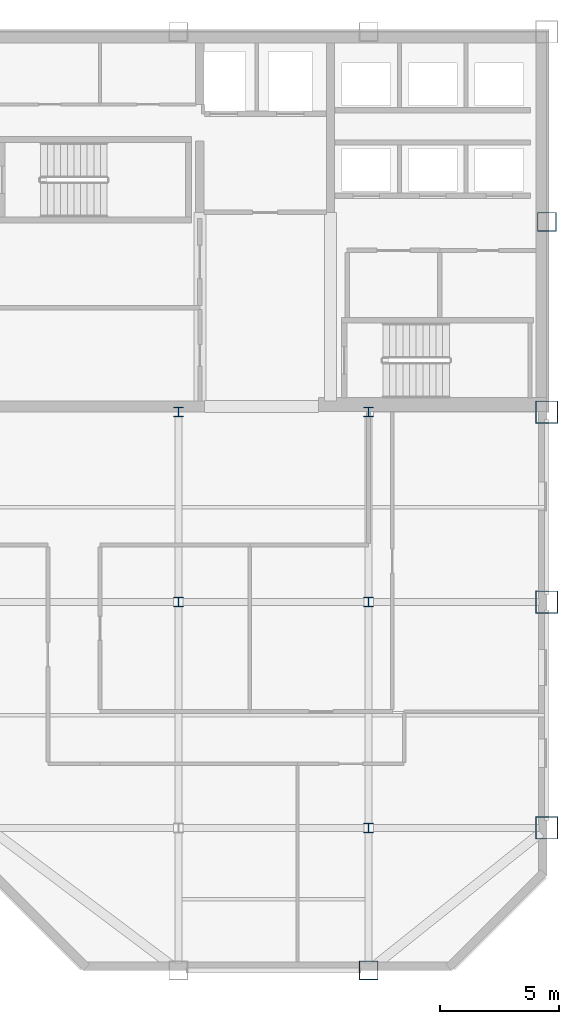
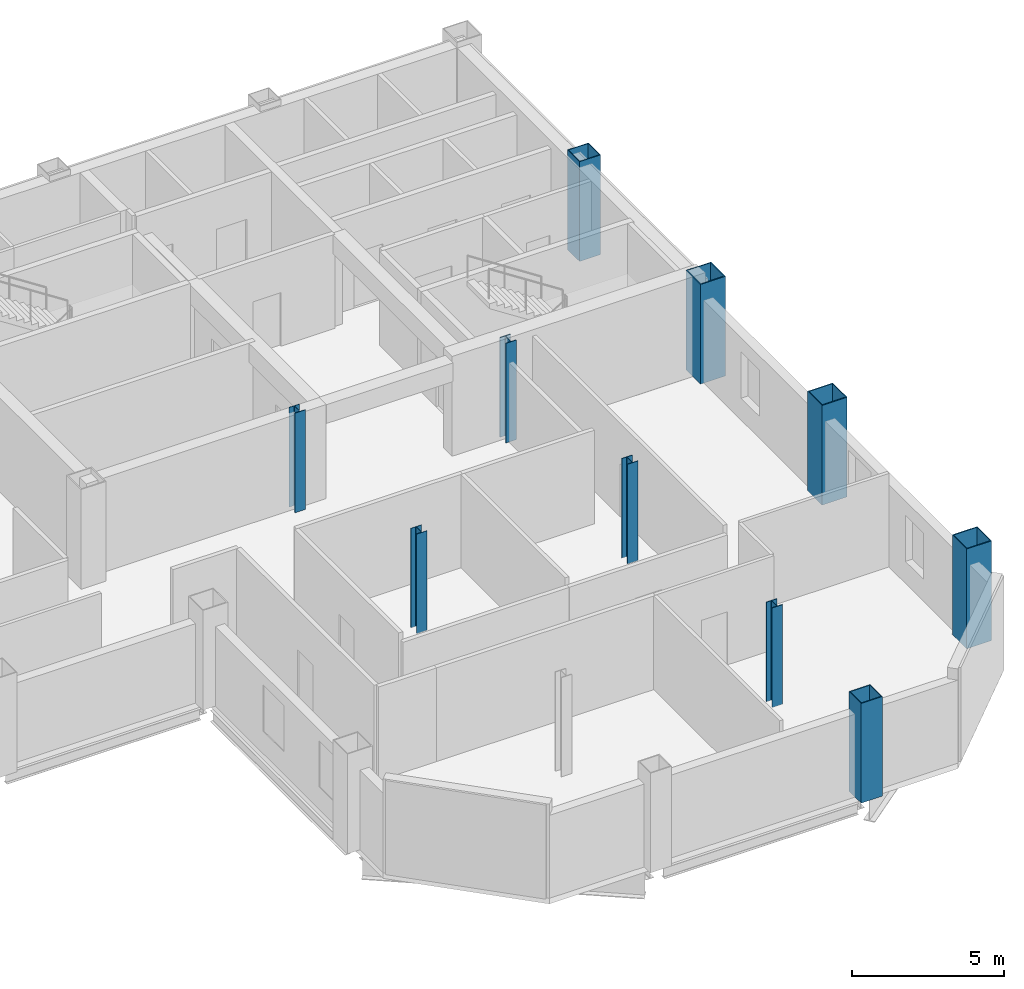
# One storey, part 2 of 10: 10 columns.
"""IFC4 building model written with IfcOpenShell, lengths in metres."""

from ifc_helpers import new_model, si_unit, direction, frame, origin, origin_2d, place, context, subcontext, project, spatial, hollow_rectangle, i_section, extrude, material, material_profile, profile_set, type_object, element, save


model = new_model("IFC4")

# Units and contexts
model_context = context("Model", 3, precision=1e-05, world=origin(), true_north=direction((0.0, 1.0)))
body_context = subcontext(model_context, "Body", "Model", "MODEL_VIEW")
ifc_project = project(units=[si_unit("LENGTHUNIT", "METRE"), si_unit("AREAUNIT", "SQUARE_METRE"), si_unit("VOLUMEUNIT", "CUBIC_METRE"), si_unit("PLANEANGLEUNIT", "RADIAN"), si_unit("MASSUNIT", "GRAM", prefix="KILO")], contexts=[model_context])

# Site, building, storey
site_placement = place(None, origin())
site = spatial("IfcSite", under=ifc_project, at=site_placement, CompositionType="ELEMENT")
building_placement = place(site_placement, origin())
building = spatial("IfcBuilding", under=site, at=building_placement, Name="Qianrong Seaharbour Tower", CompositionType="ELEMENT")
storey_placement = place(building_placement, frame((0.0, 0.0, 249.800048828125)))
storey = spatial("IfcBuildingStorey", under=building, at=storey_placement, Name="L60", CompositionType="ELEMENT", Elevation=249.800048828125)

# Columns
ifc_material = material(Name="Structural steel SN490B", Category="steel")
ifc_material_profile_1 = material_profile(ifc_material, hollow_rectangle(XDim=0.949951171875, YDim=0.949951171875, WallThickness=0.035888671875, at=origin_2d()), Name="BOX950x950x36")
ifc_profile_set_1 = profile_set([ifc_material_profile_1], Name="Structural steel SN490B")
column_type_1 = type_object("IfcColumnType", Name="COL-CFT-950", PredefinedType="COLUMN", material=ifc_profile_set_1)
for number, where, z_axis, x_axis, name in (
    (1, (64.0, 18.5, 0.0), (0.0, 0.0, 1.0), (1.0, 0.0, 0.0), "L60 Column MC-4 at G9/GD"),
    (2, (64.0, 28.0, 0.0), (0.0, 0.0, 1.0), (1.0, 0.0, 0.0), "L60 Column MC-4 at G9/GE"),
    (3, (64.0, 36.0, 0.0), (0.0, 0.0, 1.0), (1.0, 0.0, 0.0), "L60 Column MC-4 at G9/GF"),
):
    element("IfcColumn", number, at=place(storey_placement, frame(where, z_axis=z_axis, x_axis=x_axis)), inside=storey, type_object=column_type_1, Name=name, PredefinedType="COLUMN", context=body_context, shape_type="SweptSolid", body=[
        extrude(hollow_rectangle(XDim=0.949951171875, YDim=0.949951171875, WallThickness=0.035888671875, at=origin_2d()), origin(), (0.0, 0.0, 1.0), 4.0),
    ])
ifc_material_profile_2 = material_profile(ifc_material, i_section(OverallWidth=0.39990234375, OverallDepth=0.39990234375, WebThickness=0.012939453125, FlangeThickness=0.02099609375, FilletRadius=0.02197265625, at=origin_2d()), Name="H400x400x13x21")
ifc_profile_set_2 = profile_set([ifc_material_profile_2], Name="Structural steel SN490B")
column_type_2 = type_object("IfcColumnType", Name="COL-INT-H400", PredefinedType="COLUMN", material=ifc_profile_set_2)
for number, where, z_axis, x_axis, name in (
    (4, (48.5, 28.0, 0.0), (0.0, 0.0, 1.0), (1.0, 0.0, 0.0), "L60 Column IC-3 at G7/GE"),
    (5, (48.5, 36.0, 0.0), (0.0, 0.0, 1.0), (1.0, 0.0, 0.0), "L60 Column IC-3 at G7/GF"),
    (6, (56.5, 18.5, 0.0), (0.0, 0.0, 1.0), (1.0, 0.0, 0.0), "L60 Column IC-3 at G8/GD"),
    (7, (56.5, 28.0, 0.0), (0.0, 0.0, 1.0), (1.0, 0.0, 0.0), "L60 Column IC-3 at G8/GE"),
    (8, (56.5, 36.0, 0.0), (0.0, 0.0, 1.0), (1.0, 0.0, 0.0), "L60 Column IC-3 at G8/GF"),
):
    element("IfcColumn", number, at=place(storey_placement, frame(where, z_axis=z_axis, x_axis=x_axis)), inside=storey, type_object=column_type_2, Name=name, PredefinedType="COLUMN", context=body_context, shape_type="SweptSolid", body=[
        extrude(i_section(OverallWidth=0.39990234375, OverallDepth=0.39990234375, WebThickness=0.012939453125, FlangeThickness=0.02099609375, FilletRadius=0.02197265625, at=origin_2d()), origin(), (0.0, 0.0, 1.0), 4.0),
    ])
ifc_material_profile_3 = material_profile(ifc_material, hollow_rectangle(XDim=0.800048828125, YDim=0.800048828125, WallThickness=0.031982421875, at=origin_2d()), Name="BOX800x800x32")
ifc_profile_set_3 = profile_set([ifc_material_profile_3], Name="Structural steel SN490B")
column_type_3 = type_object("IfcColumnType", Name="COL-PER-800", PredefinedType="COLUMN", material=ifc_profile_set_3)
for number, where, z_axis, x_axis, name in (
    (9, (56.5, 12.5, 0.0), (0.0, 0.0, 1.0), (1.0, 0.0, 0.0), "L60 Column PC-3 at G8/GC"),
    (10, (64.0, 44.0, 0.0), (0.0, 0.0, 1.0), (1.0, 0.0, 0.0), "L60 Column PC-3 at G9/GG"),
):
    element("IfcColumn", number, at=place(storey_placement, frame(where, z_axis=z_axis, x_axis=x_axis)), inside=storey, type_object=column_type_3, Name=name, PredefinedType="COLUMN", context=body_context, shape_type="SweptSolid", body=[
        extrude(hollow_rectangle(XDim=0.800048828125, YDim=0.800048828125, WallThickness=0.031982421875, at=origin_2d()), origin(), (0.0, 0.0, 1.0), 4.0),
    ])

save(model, "model.ifc")
